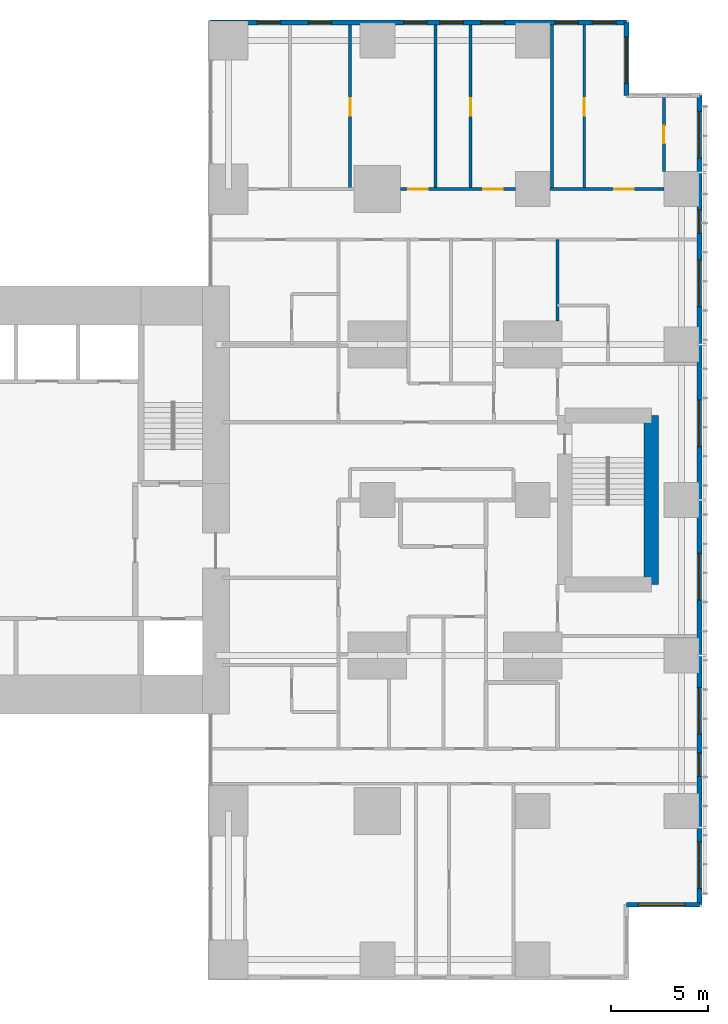
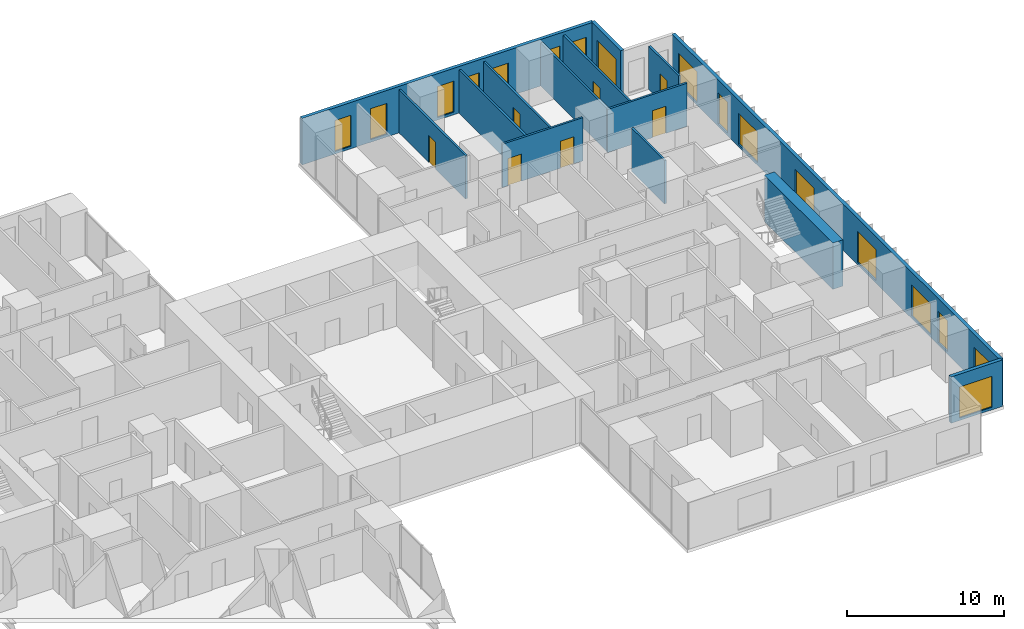
# One storey, part 18 of 20: 17 windows, 14 walls, 7 doors, 24 openings.
"""IFC4 building model written with IfcOpenShell, lengths in metres."""

from ifc_helpers import new_model, si_unit, direction, frame, frame_2d, origin, place, context, subcontext, project, spatial, rectangle, extrude, material, layer, layer_set, type_object, element, fill, save


model = new_model("IFC4")

# Units and contexts
model_context = context("Model", 3, precision=1e-05, world=origin(), true_north=direction((0.0, 1.0)))
body_context = subcontext(model_context, "Body", "Model", "MODEL_VIEW")
ifc_project = project(units=[si_unit("LENGTHUNIT", "METRE"), si_unit("AREAUNIT", "SQUARE_METRE"), si_unit("VOLUMEUNIT", "CUBIC_METRE"), si_unit("PLANEANGLEUNIT", "RADIAN"), si_unit("MASSUNIT", "GRAM", prefix="KILO")], contexts=[model_context])

# Site, building, storey
site_placement = place(None, origin())
site = spatial("IfcSite", under=ifc_project, at=site_placement, CompositionType="ELEMENT")
building_placement = place(site_placement, origin())
building = spatial("IfcBuilding", under=site, at=building_placement, Name="Cleftline Residences", CompositionType="ELEMENT")
storey_placement = place(building_placement, frame((0.0, 0.0, 185.800048828125)))
storey = spatial("IfcBuildingStorey", under=building, at=storey_placement, Name="L48", CompositionType="ELEMENT", Elevation=185.800048828125)

# Wall, opening, window
ifc_material_1 = material(Name="Rendered reinforced concrete blockwork", Category="masonry")
ifc_layer_1 = layer(ifc_material_1, 0.25)
ifc_layer_set_1 = layer_set([ifc_layer_1], Name="EXTERNAL WALL 250")
wall_type_1 = type_object("IfcWallType", Name="EXTERNAL WALL 250", PredefinedType="SOLIDWALL", material=ifc_layer_set_1)
wall_1_placement = place(storey_placement, frame((62.824951171875, 3.175048828125, 0.0), z_axis=(0.0, 0.0, 1.0), x_axis=(1.0, 0.0, 0.0)))
wall_1 = element("IfcWall", 1, at=wall_1_placement, inside=storey, type_object=wall_type_1, Name="External wall", PredefinedType="SOLIDWALL", context=body_context, shape_type="SweptSolid", body=[
    extrude(rectangle(XDim=3.75, YDim=0.25, at=frame_2d((1.875, 0.0))), origin(), (0.0, 0.0, 1.0), 3.599853515625),
])
opening_1_placement = place(wall_1_placement, frame((0.612548828125, 0.0, 0.199951171875)))
opening_1 = element("IfcOpeningElement", 2, at=opening_1_placement, cuts=wall_1, Name="Opening W9", PredefinedType="OPENING", context=body_context, shape_type="SweptSolid", body=[
    extrude(rectangle(XDim=2.39990234375, YDim=2.39990234375, at=frame_2d((1.199951171875, 1.199951171875))), frame((0.0, 0.135009765625, 0.0), z_axis=(0.0, -1.0, 0.0), x_axis=(1.0, 0.0, 0.0)), (0.0, 0.0, 1.0), 0.27001953125),
])
ifc_material_2 = material(Name="Aluminium frame, clear double glazing", Category="aluminium")
window_type_1 = type_object("IfcWindowType", Name="WINDOW 2400X2400", PartitioningType="DOUBLE_PANEL_VERTICAL", PredefinedType="WINDOW", material=ifc_material_2)
window_1_placement = place(opening_1_placement, origin())
window_1 = element("IfcWindow", 3, at=window_1_placement, inside=storey, type_object=window_type_1, Name="Window", OverallHeight=2.39990234375, OverallWidth=2.39990234375, PartitioningType="SINGLE_PANEL", PredefinedType="WINDOW", context=body_context, shape_type="SweptSolid", body=[
    extrude(rectangle(XDim=2.39990234375, YDim=2.39990234375, at=frame_2d((1.199951171875, 1.199951171875))), frame((0.0, 0.030029296875, 0.0), z_axis=(0.0, -1.0, 0.0), x_axis=(1.0, 0.0, 0.0)), (0.0, 0.0, 1.0), 0.06005859375),
])
fill(opening_1, window_1)

# Wall, openings, windows
wall_2_placement = place(storey_placement, frame((66.574951171875, 3.175048828125, 0.0), z_axis=(0.0, 0.0, 1.0), x_axis=(0.0, 1.0, 0.0)))
wall_2 = element("IfcWall", 4, at=wall_2_placement, inside=storey, type_object=wall_type_1, Name="External wall", PredefinedType="SOLIDWALL", context=body_context, shape_type="SweptSolid", body=[
    extrude(rectangle(XDim=41.64990234375, YDim=0.25, at=frame_2d((20.824951171875, 0.0))), origin(), (0.0, 0.0, 1.0), 3.599853515625),
])
opening_2_placement = place(wall_2_placement, frame((0.824951171875, 0.0, 0.199951171875)))
opening_2 = element("IfcOpeningElement", 5, at=opening_2_placement, cuts=wall_2, Name="Opening W9", PredefinedType="OPENING", context=body_context, shape_type="SweptSolid", body=[
    extrude(rectangle(XDim=2.39990234375, YDim=2.39990234375, at=frame_2d((1.199951171875, 1.199951171875))), frame((0.0, 0.135009765625, 0.0), z_axis=(0.0, -1.0, 0.0), x_axis=(1.0, 0.0, 0.0)), (0.0, 0.0, 1.0), 0.27001953125),
])
opening_3_placement = place(wall_2_placement, frame((6.60009765625, 0.0, 0.199951171875)))
opening_3 = element("IfcOpeningElement", 6, at=opening_3_placement, cuts=wall_2, Name="Opening W13", PredefinedType="OPENING", context=body_context, shape_type="SweptSolid", body=[
    extrude(rectangle(XDim=1.199951171875, YDim=2.39990234375, at=frame_2d((0.60009765625, 1.199951171875))), frame((0.0, 0.135009765625, 0.0), z_axis=(0.0, -1.0, 0.0), x_axis=(1.0, 0.0, 0.0)), (0.0, 0.0, 1.0), 0.27001953125),
])
opening_4_placement = place(wall_2_placement, frame((8.77490234375, 0.0, 0.199951171875)))
opening_4 = element("IfcOpeningElement", 7, at=opening_4_placement, cuts=wall_2, Name="Opening W9", PredefinedType="OPENING", context=body_context, shape_type="SweptSolid", body=[
    extrude(rectangle(XDim=2.39990234375, YDim=2.39990234375, at=frame_2d((1.199951171875, 1.199951171875))), frame((0.0, 0.135009765625, 0.0), z_axis=(0.0, -1.0, 0.0), x_axis=(1.0, 0.0, 0.0)), (0.0, 0.0, 1.0), 0.27001953125),
])
opening_5_placement = place(wall_2_placement, frame((15.675048828125, 0.0, 0.199951171875)))
opening_5 = element("IfcOpeningElement", 8, at=opening_5_placement, cuts=wall_2, Name="Opening W9", PredefinedType="OPENING", context=body_context, shape_type="SweptSolid", body=[
    extrude(rectangle(XDim=2.39990234375, YDim=2.39990234375, at=frame_2d((1.199951171875, 1.199951171875))), frame((0.0, 0.135009765625, 0.0), z_axis=(0.0, -1.0, 0.0), x_axis=(1.0, 0.0, 0.0)), (0.0, 0.0, 1.0), 0.27001953125),
])
opening_6_placement = place(wall_2_placement, frame((23.574951171875, 0.0, 0.199951171875)))
opening_6 = element("IfcOpeningElement", 9, at=opening_6_placement, cuts=wall_2, Name="Opening W9", PredefinedType="OPENING", context=body_context, shape_type="SweptSolid", body=[
    extrude(rectangle(XDim=2.39990234375, YDim=2.39990234375, at=frame_2d((1.199951171875, 1.199951171875))), frame((0.0, 0.135009765625, 0.0), z_axis=(0.0, -1.0, 0.0), x_axis=(1.0, 0.0, 0.0)), (0.0, 0.0, 1.0), 0.27001953125),
])
opening_7_placement = place(wall_2_placement, frame((30.77490234375, 0.0, 0.199951171875)))
opening_7 = element("IfcOpeningElement", 10, at=opening_7_placement, cuts=wall_2, Name="Opening W9", PredefinedType="OPENING", context=body_context, shape_type="SweptSolid", body=[
    extrude(rectangle(XDim=2.39990234375, YDim=2.39990234375, at=frame_2d((1.199951171875, 1.199951171875))), frame((0.0, 0.135009765625, 0.0), z_axis=(0.0, -1.0, 0.0), x_axis=(1.0, 0.0, 0.0)), (0.0, 0.0, 1.0), 0.27001953125),
])
opening_8_placement = place(wall_2_placement, frame((34.550048828125, 0.0, 0.199951171875)))
opening_8 = element("IfcOpeningElement", 11, at=opening_8_placement, cuts=wall_2, Name="Opening W13", PredefinedType="OPENING", context=body_context, shape_type="SweptSolid", body=[
    extrude(rectangle(XDim=1.199951171875, YDim=2.39990234375, at=frame_2d((0.60009765625, 1.199951171875))), frame((0.0, 0.135009765625, 0.0), z_axis=(0.0, -1.0, 0.0), x_axis=(1.0, 0.0, 0.0)), (0.0, 0.0, 1.0), 0.27001953125),
])
opening_9_placement = place(wall_2_placement, frame((38.425048828125, 0.0, 0.199951171875)))
opening_9 = element("IfcOpeningElement", 12, at=opening_9_placement, cuts=wall_2, Name="Opening W9", PredefinedType="OPENING", context=body_context, shape_type="SweptSolid", body=[
    extrude(rectangle(XDim=2.39990234375, YDim=2.39990234375, at=frame_2d((1.199951171875, 1.199951171875))), frame((0.0, 0.135009765625, 0.0), z_axis=(0.0, -1.0, 0.0), x_axis=(1.0, 0.0, 0.0)), (0.0, 0.0, 1.0), 0.27001953125),
])
ifc_material_3 = material(Name="Aluminium frame, clear double glazing", Category="aluminium")
window_type_2 = type_object("IfcWindowType", Name="WINDOW 1200X2400", PartitioningType="DOUBLE_PANEL_VERTICAL", PredefinedType="WINDOW", material=ifc_material_3)
window_2_placement = place(opening_3_placement, origin())
window_2 = element("IfcWindow", 13, at=window_2_placement, inside=storey, type_object=window_type_2, Name="Window", OverallHeight=2.39990234375, OverallWidth=1.199951171875, PartitioningType="SINGLE_PANEL", PredefinedType="WINDOW", context=body_context, shape_type="SweptSolid", body=[
    extrude(rectangle(XDim=1.199951171875, YDim=2.39990234375, at=frame_2d((0.60009765625, 1.199951171875))), frame((0.0, 0.030029296875, 0.0), z_axis=(0.0, -1.0, 0.0), x_axis=(1.0, 0.0, 0.0)), (0.0, 0.0, 1.0), 0.06005859375),
])
fill(opening_3, window_2)
window_3_placement = place(opening_8_placement, origin())
window_3 = element("IfcWindow", 14, at=window_3_placement, inside=storey, type_object=window_type_2, Name="Window", OverallHeight=2.39990234375, OverallWidth=1.199951171875, PartitioningType="SINGLE_PANEL", PredefinedType="WINDOW", context=body_context, shape_type="SweptSolid", body=[
    extrude(rectangle(XDim=1.199951171875, YDim=2.39990234375, at=frame_2d((0.60009765625, 1.199951171875))), frame((0.0, 0.030029296875, 0.0), z_axis=(0.0, -1.0, 0.0), x_axis=(1.0, 0.0, 0.0)), (0.0, 0.0, 1.0), 0.06005859375),
])
fill(opening_8, window_3)
window_4_placement = place(opening_2_placement, origin())
window_4 = element("IfcWindow", 15, at=window_4_placement, inside=storey, type_object=window_type_1, Name="Window", OverallHeight=2.39990234375, OverallWidth=2.39990234375, PartitioningType="SINGLE_PANEL", PredefinedType="WINDOW", context=body_context, shape_type="SweptSolid", body=[
    extrude(rectangle(XDim=2.39990234375, YDim=2.39990234375, at=frame_2d((1.199951171875, 1.199951171875))), frame((0.0, 0.030029296875, 0.0), z_axis=(0.0, -1.0, 0.0), x_axis=(1.0, 0.0, 0.0)), (0.0, 0.0, 1.0), 0.06005859375),
])
fill(opening_2, window_4)
window_5_placement = place(opening_4_placement, origin())
window_5 = element("IfcWindow", 16, at=window_5_placement, inside=storey, type_object=window_type_1, Name="Window", OverallHeight=2.39990234375, OverallWidth=2.39990234375, PartitioningType="SINGLE_PANEL", PredefinedType="WINDOW", context=body_context, shape_type="SweptSolid", body=[
    extrude(rectangle(XDim=2.39990234375, YDim=2.39990234375, at=frame_2d((1.199951171875, 1.199951171875))), frame((0.0, 0.030029296875, 0.0), z_axis=(0.0, -1.0, 0.0), x_axis=(1.0, 0.0, 0.0)), (0.0, 0.0, 1.0), 0.06005859375),
])
fill(opening_4, window_5)
window_6_placement = place(opening_5_placement, origin())
window_6 = element("IfcWindow", 17, at=window_6_placement, inside=storey, type_object=window_type_1, Name="Window", OverallHeight=2.39990234375, OverallWidth=2.39990234375, PartitioningType="SINGLE_PANEL", PredefinedType="WINDOW", context=body_context, shape_type="SweptSolid", body=[
    extrude(rectangle(XDim=2.39990234375, YDim=2.39990234375, at=frame_2d((1.199951171875, 1.199951171875))), frame((0.0, 0.030029296875, 0.0), z_axis=(0.0, -1.0, 0.0), x_axis=(1.0, 0.0, 0.0)), (0.0, 0.0, 1.0), 0.06005859375),
])
fill(opening_5, window_6)
window_7_placement = place(opening_6_placement, origin())
window_7 = element("IfcWindow", 18, at=window_7_placement, inside=storey, type_object=window_type_1, Name="Window", OverallHeight=2.39990234375, OverallWidth=2.39990234375, PartitioningType="SINGLE_PANEL", PredefinedType="WINDOW", context=body_context, shape_type="SweptSolid", body=[
    extrude(rectangle(XDim=2.39990234375, YDim=2.39990234375, at=frame_2d((1.199951171875, 1.199951171875))), frame((0.0, 0.030029296875, 0.0), z_axis=(0.0, -1.0, 0.0), x_axis=(1.0, 0.0, 0.0)), (0.0, 0.0, 1.0), 0.06005859375),
])
fill(opening_6, window_7)
window_8_placement = place(opening_7_placement, origin())
window_8 = element("IfcWindow", 19, at=window_8_placement, inside=storey, type_object=window_type_1, Name="Window", OverallHeight=2.39990234375, OverallWidth=2.39990234375, PartitioningType="SINGLE_PANEL", PredefinedType="WINDOW", context=body_context, shape_type="SweptSolid", body=[
    extrude(rectangle(XDim=2.39990234375, YDim=2.39990234375, at=frame_2d((1.199951171875, 1.199951171875))), frame((0.0, 0.030029296875, 0.0), z_axis=(0.0, -1.0, 0.0), x_axis=(1.0, 0.0, 0.0)), (0.0, 0.0, 1.0), 0.06005859375),
])
fill(opening_7, window_8)
window_9_placement = place(opening_9_placement, origin())
window_9 = element("IfcWindow", 20, at=window_9_placement, inside=storey, type_object=window_type_1, Name="Window", OverallHeight=2.39990234375, OverallWidth=2.39990234375, PartitioningType="SINGLE_PANEL", PredefinedType="WINDOW", context=body_context, shape_type="SweptSolid", body=[
    extrude(rectangle(XDim=2.39990234375, YDim=2.39990234375, at=frame_2d((1.199951171875, 1.199951171875))), frame((0.0, 0.030029296875, 0.0), z_axis=(0.0, -1.0, 0.0), x_axis=(1.0, 0.0, 0.0)), (0.0, 0.0, 1.0), 0.06005859375),
])
fill(opening_9, window_9)

# Wall, opening, window
wall_3_placement = place(storey_placement, frame((62.824951171875, 44.824951171875, 0.0), z_axis=(0.0, 0.0, 1.0), x_axis=(0.0, 1.0, 0.0)))
wall_3 = element("IfcWall", 21, at=wall_3_placement, inside=storey, type_object=wall_type_1, Name="External wall", PredefinedType="SOLIDWALL", context=body_context, shape_type="SweptSolid", body=[
    extrude(rectangle(XDim=3.75, YDim=0.25, at=frame_2d((1.875, 0.0))), origin(), (0.0, 0.0, 1.0), 3.599853515625),
])
opening_10_placement = place(wall_3_placement, frame((0.612548828125, 0.0, 0.199951171875)))
opening_10 = element("IfcOpeningElement", 22, at=opening_10_placement, cuts=wall_3, Name="Opening W9", PredefinedType="OPENING", context=body_context, shape_type="SweptSolid", body=[
    extrude(rectangle(XDim=2.39990234375, YDim=2.39990234375, at=frame_2d((1.199951171875, 1.199951171875))), frame((0.0, 0.135009765625, 0.0), z_axis=(0.0, -1.0, 0.0), x_axis=(1.0, 0.0, 0.0)), (0.0, 0.0, 1.0), 0.27001953125),
])
window_10_placement = place(opening_10_placement, origin())
window_10 = element("IfcWindow", 23, at=window_10_placement, inside=storey, type_object=window_type_1, Name="Window", OverallHeight=2.39990234375, OverallWidth=2.39990234375, PartitioningType="SINGLE_PANEL", PredefinedType="WINDOW", context=body_context, shape_type="SweptSolid", body=[
    extrude(rectangle(XDim=2.39990234375, YDim=2.39990234375, at=frame_2d((1.199951171875, 1.199951171875))), frame((0.0, 0.030029296875, 0.0), z_axis=(0.0, -1.0, 0.0), x_axis=(1.0, 0.0, 0.0)), (0.0, 0.0, 1.0), 0.06005859375),
])
fill(opening_10, window_10)

# Wall, openings, windows
wall_4_placement = place(storey_placement, frame((62.824951171875, 48.574951171875, 0.0), z_axis=(0.0, 0.0, 1.0), x_axis=(-1.0, 0.0, 0.0)))
wall_4 = element("IfcWall", 24, at=wall_4_placement, inside=storey, type_object=wall_type_1, Name="External wall", PredefinedType="SOLIDWALL", context=body_context, shape_type="SweptSolid", body=[
    extrude(rectangle(XDim=21.39990234375, YDim=0.25, at=frame_2d((10.699951171875, 0.0))), origin(), (0.0, 0.0, 1.0), 3.599853515625),
])
opening_11_placement = place(wall_4_placement, frame((0.550048828125, 0.0, 0.199951171875)))
opening_11 = element("IfcOpeningElement", 25, at=opening_11_placement, cuts=wall_4, Name="Opening W13", PredefinedType="OPENING", context=body_context, shape_type="SweptSolid", body=[
    extrude(rectangle(XDim=1.199951171875, YDim=2.39990234375, at=frame_2d((0.60009765625, 1.199951171875))), frame((0.0, 0.135009765625, 0.0), z_axis=(0.0, -1.0, 0.0), x_axis=(1.0, 0.0, 0.0)), (0.0, 0.0, 1.0), 0.27001953125),
])
opening_12_placement = place(wall_4_placement, frame((2.47509765625, 0.0, 0.199951171875)))
opening_12 = element("IfcOpeningElement", 26, at=opening_12_placement, cuts=wall_4, Name="Opening W13", PredefinedType="OPENING", context=body_context, shape_type="SweptSolid", body=[
    extrude(rectangle(XDim=1.199951171875, YDim=2.39990234375, at=frame_2d((0.60009765625, 1.199951171875))), frame((0.0, 0.135009765625, 0.0), z_axis=(0.0, -1.0, 0.0), x_axis=(1.0, 0.0, 0.0)), (0.0, 0.0, 1.0), 0.27001953125),
])
opening_13_placement = place(wall_4_placement, frame((6.27490234375, 0.0, 0.199951171875)))
opening_13 = element("IfcOpeningElement", 27, at=opening_13_placement, cuts=wall_4, Name="Opening W13", PredefinedType="OPENING", context=body_context, shape_type="SweptSolid", body=[
    extrude(rectangle(XDim=1.199951171875, YDim=2.39990234375, at=frame_2d((0.60009765625, 1.199951171875))), frame((0.0, 0.135009765625, 0.0), z_axis=(0.0, -1.0, 0.0), x_axis=(1.0, 0.0, 0.0)), (0.0, 0.0, 1.0), 0.27001953125),
])
opening_14_placement = place(wall_4_placement, frame((8.39990234375, 0.0, 0.199951171875)))
opening_14 = element("IfcOpeningElement", 28, at=opening_14_placement, cuts=wall_4, Name="Opening W13", PredefinedType="OPENING", context=body_context, shape_type="SweptSolid", body=[
    extrude(rectangle(XDim=1.199951171875, YDim=2.39990234375, at=frame_2d((0.60009765625, 1.199951171875))), frame((0.0, 0.135009765625, 0.0), z_axis=(0.0, -1.0, 0.0), x_axis=(1.0, 0.0, 0.0)), (0.0, 0.0, 1.0), 0.27001953125),
])
opening_15_placement = place(wall_4_placement, frame((10.27490234375, 0.0, 0.199951171875)))
opening_15 = element("IfcOpeningElement", 29, at=opening_15_placement, cuts=wall_4, Name="Opening W13", PredefinedType="OPENING", context=body_context, shape_type="SweptSolid", body=[
    extrude(rectangle(XDim=1.199951171875, YDim=2.39990234375, at=frame_2d((0.60009765625, 1.199951171875))), frame((0.0, 0.135009765625, 0.0), z_axis=(0.0, -1.0, 0.0), x_axis=(1.0, 0.0, 0.0)), (0.0, 0.0, 1.0), 0.27001953125),
])
opening_16_placement = place(wall_4_placement, frame((15.175048828125, 0.0, 0.199951171875)))
opening_16 = element("IfcOpeningElement", 30, at=opening_16_placement, cuts=wall_4, Name="Opening W13", PredefinedType="OPENING", context=body_context, shape_type="SweptSolid", body=[
    extrude(rectangle(XDim=1.199951171875, YDim=2.39990234375, at=frame_2d((0.60009765625, 1.199951171875))), frame((0.0, 0.135009765625, 0.0), z_axis=(0.0, -1.0, 0.0), x_axis=(1.0, 0.0, 0.0)), (0.0, 0.0, 1.0), 0.27001953125),
])
opening_17_placement = place(wall_4_placement, frame((17.800048828125, 0.0, 0.199951171875)))
opening_17 = element("IfcOpeningElement", 31, at=opening_17_placement, cuts=wall_4, Name="Opening W13", PredefinedType="OPENING", context=body_context, shape_type="SweptSolid", body=[
    extrude(rectangle(XDim=1.199951171875, YDim=2.39990234375, at=frame_2d((0.60009765625, 1.199951171875))), frame((0.0, 0.135009765625, 0.0), z_axis=(0.0, -1.0, 0.0), x_axis=(1.0, 0.0, 0.0)), (0.0, 0.0, 1.0), 0.27001953125),
])
window_11_placement = place(opening_11_placement, origin())
window_11 = element("IfcWindow", 32, at=window_11_placement, inside=storey, type_object=window_type_2, Name="Window", OverallHeight=2.39990234375, OverallWidth=1.199951171875, PartitioningType="SINGLE_PANEL", PredefinedType="WINDOW", context=body_context, shape_type="SweptSolid", body=[
    extrude(rectangle(XDim=1.199951171875, YDim=2.39990234375, at=frame_2d((0.60009765625, 1.199951171875))), frame((0.0, 0.030029296875, 0.0), z_axis=(0.0, -1.0, 0.0), x_axis=(1.0, 0.0, 0.0)), (0.0, 0.0, 1.0), 0.06005859375),
])
fill(opening_11, window_11)
window_12_placement = place(opening_12_placement, origin())
window_12 = element("IfcWindow", 33, at=window_12_placement, inside=storey, type_object=window_type_2, Name="Window", OverallHeight=2.39990234375, OverallWidth=1.199951171875, PartitioningType="SINGLE_PANEL", PredefinedType="WINDOW", context=body_context, shape_type="SweptSolid", body=[
    extrude(rectangle(XDim=1.199951171875, YDim=2.39990234375, at=frame_2d((0.60009765625, 1.199951171875))), frame((0.0, 0.030029296875, 0.0), z_axis=(0.0, -1.0, 0.0), x_axis=(1.0, 0.0, 0.0)), (0.0, 0.0, 1.0), 0.06005859375),
])
fill(opening_12, window_12)
window_13_placement = place(opening_13_placement, origin())
window_13 = element("IfcWindow", 34, at=window_13_placement, inside=storey, type_object=window_type_2, Name="Window", OverallHeight=2.39990234375, OverallWidth=1.199951171875, PartitioningType="SINGLE_PANEL", PredefinedType="WINDOW", context=body_context, shape_type="SweptSolid", body=[
    extrude(rectangle(XDim=1.199951171875, YDim=2.39990234375, at=frame_2d((0.60009765625, 1.199951171875))), frame((0.0, 0.030029296875, 0.0), z_axis=(0.0, -1.0, 0.0), x_axis=(1.0, 0.0, 0.0)), (0.0, 0.0, 1.0), 0.06005859375),
])
fill(opening_13, window_13)
window_14_placement = place(opening_14_placement, origin())
window_14 = element("IfcWindow", 35, at=window_14_placement, inside=storey, type_object=window_type_2, Name="Window", OverallHeight=2.39990234375, OverallWidth=1.199951171875, PartitioningType="SINGLE_PANEL", PredefinedType="WINDOW", context=body_context, shape_type="SweptSolid", body=[
    extrude(rectangle(XDim=1.199951171875, YDim=2.39990234375, at=frame_2d((0.60009765625, 1.199951171875))), frame((0.0, 0.030029296875, 0.0), z_axis=(0.0, -1.0, 0.0), x_axis=(1.0, 0.0, 0.0)), (0.0, 0.0, 1.0), 0.06005859375),
])
fill(opening_14, window_14)
window_15_placement = place(opening_15_placement, origin())
window_15 = element("IfcWindow", 36, at=window_15_placement, inside=storey, type_object=window_type_2, Name="Window", OverallHeight=2.39990234375, OverallWidth=1.199951171875, PartitioningType="SINGLE_PANEL", PredefinedType="WINDOW", context=body_context, shape_type="SweptSolid", body=[
    extrude(rectangle(XDim=1.199951171875, YDim=2.39990234375, at=frame_2d((0.60009765625, 1.199951171875))), frame((0.0, 0.030029296875, 0.0), z_axis=(0.0, -1.0, 0.0), x_axis=(1.0, 0.0, 0.0)), (0.0, 0.0, 1.0), 0.06005859375),
])
fill(opening_15, window_15)
window_16_placement = place(opening_16_placement, origin())
window_16 = element("IfcWindow", 37, at=window_16_placement, inside=storey, type_object=window_type_2, Name="Window", OverallHeight=2.39990234375, OverallWidth=1.199951171875, PartitioningType="SINGLE_PANEL", PredefinedType="WINDOW", context=body_context, shape_type="SweptSolid", body=[
    extrude(rectangle(XDim=1.199951171875, YDim=2.39990234375, at=frame_2d((0.60009765625, 1.199951171875))), frame((0.0, 0.030029296875, 0.0), z_axis=(0.0, -1.0, 0.0), x_axis=(1.0, 0.0, 0.0)), (0.0, 0.0, 1.0), 0.06005859375),
])
fill(opening_16, window_16)
window_17_placement = place(opening_17_placement, origin())
window_17 = element("IfcWindow", 38, at=window_17_placement, inside=storey, type_object=window_type_2, Name="Window", OverallHeight=2.39990234375, OverallWidth=1.199951171875, PartitioningType="SINGLE_PANEL", PredefinedType="WINDOW", context=body_context, shape_type="SweptSolid", body=[
    extrude(rectangle(XDim=1.199951171875, YDim=2.39990234375, at=frame_2d((0.60009765625, 1.199951171875))), frame((0.0, 0.030029296875, 0.0), z_axis=(0.0, -1.0, 0.0), x_axis=(1.0, 0.0, 0.0)), (0.0, 0.0, 1.0), 0.06005859375),
])
fill(opening_17, window_17)

# Wall, openings, doors
ifc_material_4 = material(Name="Gypsum board on steel studs", Category="steel")
ifc_layer_2 = layer(ifc_material_4, 0.14990234375)
ifc_layer_set_2 = layer_set([ifc_layer_2], Name="PARTITION 150")
wall_type_2 = type_object("IfcWallType", Name="PARTITION 150", PredefinedType="PARTITIONING", material=ifc_layer_set_2)
wall_5_placement = place(storey_placement, frame((51.199951171875, 40.0, 0.0), z_axis=(0.0, 0.0, 1.0), x_axis=(1.0, 0.0, 0.0)))
wall_5 = element("IfcWall", 39, at=wall_5_placement, inside=storey, type_object=wall_type_2, Name="Partition", PredefinedType="PARTITIONING", context=body_context, shape_type="SweptSolid", body=[
    extrude(rectangle(XDim=5.900146484375, YDim=0.14990234375, at=frame_2d((2.9501953125, 0.0))), origin(), (0.0, 0.0, 1.0), 3.349853515625),
])
opening_18_placement = place(wall_5_placement, frame((4.25, 0.0, 0.0)))
opening_18 = element("IfcOpeningElement", 40, at=opening_18_placement, cuts=wall_5, Name="Opening D2", PredefinedType="OPENING", context=body_context, shape_type="SweptSolid", body=[
    extrude(rectangle(XDim=1.0, YDim=2.10009765625, at=frame_2d((0.5, 1.050048828125))), frame((0.0, 0.0849609375, 0.0), z_axis=(0.0, -1.0, 0.0), x_axis=(1.0, 0.0, 0.0)), (0.0, 0.0, 1.0), 0.169921875),
])
opening_19_placement = place(wall_5_placement, frame((0.39990234375, 0.0, 0.0)))
opening_19 = element("IfcOpeningElement", 41, at=opening_19_placement, cuts=wall_5, Name="Opening D2", PredefinedType="OPENING", context=body_context, shape_type="SweptSolid", body=[
    extrude(rectangle(XDim=1.0, YDim=2.10009765625, at=frame_2d((0.5, 1.050048828125))), frame((0.0, 0.0849609375, 0.0), z_axis=(0.0, -1.0, 0.0), x_axis=(1.0, 0.0, 0.0)), (0.0, 0.0, 1.0), 0.169921875),
])
ifc_material_5 = material(Name="Timber veneer on solid core", Category="wood")
door_type_1 = type_object("IfcDoorType", Name="DOOR 1000X2100", OperationType="SINGLE_SWING_LEFT", PredefinedType="DOOR", material=ifc_material_5)
door_1_placement = place(opening_18_placement, origin())
door_1 = element("IfcDoor", 42, at=door_1_placement, inside=storey, type_object=door_type_1, Name="Door to bedroom 3", OperationType="SINGLE_SWING_LEFT", OverallHeight=2.10009765625, OverallWidth=1.0, PredefinedType="DOOR", context=body_context, shape_type="SweptSolid", body=[
    extrude(rectangle(XDim=1.0, YDim=2.10009765625, at=frame_2d((0.5, 1.050048828125))), frame((0.0, 0.02490234375, 0.0), z_axis=(0.0, -1.0, 0.0), x_axis=(1.0, 0.0, 0.0)), (0.0, 0.0, 1.0), 0.050048828125),
])
fill(opening_18, door_1)
door_2_placement = place(opening_19_placement, origin())
door_2 = element("IfcDoor", 43, at=door_2_placement, inside=storey, type_object=door_type_1, Name="Door to bedroom 4", OperationType="SINGLE_SWING_RIGHT", OverallHeight=2.10009765625, OverallWidth=1.0, PredefinedType="DOOR", context=body_context, shape_type="SweptSolid", body=[
    extrude(rectangle(XDim=1.0, YDim=2.10009765625, at=frame_2d((0.5, 1.050048828125))), frame((0.0, 0.02490234375, 0.0), z_axis=(0.0, -1.0, 0.0), x_axis=(1.0, 0.0, 0.0)), (0.0, 0.0, 1.0), 0.050048828125),
])
fill(opening_19, door_2)

# Wall, opening, door
wall_6_placement = place(storey_placement, frame((58.89990234375, 40.0, 0.0), z_axis=(0.0, 0.0, 1.0), x_axis=(1.0, 0.0, 0.0)))
wall_6 = element("IfcWall", 44, at=wall_6_placement, inside=storey, type_object=wall_type_2, Name="Partition", PredefinedType="PARTITIONING", context=body_context, shape_type="SweptSolid", body=[
    extrude(rectangle(XDim=5.85009765625, YDim=0.14990234375, at=frame_2d((2.925048828125, 0.0))), origin(), (0.0, 0.0, 1.0), 3.349853515625),
])
opening_20_placement = place(wall_6_placement, frame((3.300048828125, 0.0, 0.0)))
opening_20 = element("IfcOpeningElement", 45, at=opening_20_placement, cuts=wall_6, Name="Opening D2", PredefinedType="OPENING", context=body_context, shape_type="SweptSolid", body=[
    extrude(rectangle(XDim=1.0, YDim=2.10009765625, at=frame_2d((0.5, 1.050048828125))), frame((0.0, 0.0849609375, 0.0), z_axis=(0.0, -1.0, 0.0), x_axis=(1.0, 0.0, 0.0)), (0.0, 0.0, 1.0), 0.169921875),
])
door_3_placement = place(opening_20_placement, origin())
door_3 = element("IfcDoor", 46, at=door_3_placement, inside=storey, type_object=door_type_1, Name="Door to bedroom 2", OperationType="SINGLE_SWING_LEFT", OverallHeight=2.10009765625, OverallWidth=1.0, PredefinedType="DOOR", context=body_context, shape_type="SweptSolid", body=[
    extrude(rectangle(XDim=1.0, YDim=2.10009765625, at=frame_2d((0.5, 1.050048828125))), frame((0.0, 0.02490234375, 0.0), z_axis=(0.0, -1.0, 0.0), x_axis=(1.0, 0.0, 0.0)), (0.0, 0.0, 1.0), 0.050048828125),
])
fill(opening_20, door_3)

wall_7_placement = place(storey_placement, frame((48.60009765625, 40.0, 0.0), z_axis=(0.0, 0.0, 1.0), x_axis=(0.0, 1.0, 0.0)))
wall_7 = element("IfcWall", 47, at=wall_7_placement, inside=storey, type_object=wall_type_2, Name="Partition", PredefinedType="PARTITIONING", context=body_context, shape_type="SweptSolid", body=[
    extrude(rectangle(XDim=8.449951171875, YDim=0.14990234375, at=frame_2d((4.22509765625, 0.0))), origin(), (0.0, 0.0, 1.0), 3.349853515625),
])
opening_21_placement = place(wall_7_placement, frame((3.77490234375, 0.0, 0.0)))
opening_21 = element("IfcOpeningElement", 48, at=opening_21_placement, cuts=wall_7, Name="Opening D1", PredefinedType="OPENING", context=body_context, shape_type="SweptSolid", body=[
    extrude(rectangle(XDim=0.89990234375, YDim=2.10009765625, at=frame_2d((0.449951171875, 1.050048828125))), frame((0.0, 0.0849609375, 0.0), z_axis=(0.0, -1.0, 0.0), x_axis=(1.0, 0.0, 0.0)), (0.0, 0.0, 1.0), 0.169921875),
])
ifc_material_6 = material(Name="Timber veneer on solid core", Category="wood")
door_type_2 = type_object("IfcDoorType", Name="DOOR 900X2100", OperationType="SINGLE_SWING_LEFT", PredefinedType="DOOR", material=ifc_material_6)
door_4_placement = place(opening_21_placement, origin())
door_4 = element("IfcDoor", 49, at=door_4_placement, inside=storey, type_object=door_type_2, Name="Door to en-suite bathroom 4", OperationType="SINGLE_SWING_LEFT", OverallHeight=2.10009765625, OverallWidth=0.89990234375, PredefinedType="DOOR", context=body_context, shape_type="SweptSolid", body=[
    extrude(rectangle(XDim=0.89990234375, YDim=2.10009765625, at=frame_2d((0.449951171875, 1.050048828125))), frame((0.0, 0.02490234375, 0.0), z_axis=(0.0, -1.0, 0.0), x_axis=(1.0, 0.0, 0.0)), (0.0, 0.0, 1.0), 0.050048828125),
])
fill(opening_21, door_4)

# Wall
wall_8_placement = place(storey_placement, frame((53.0, 40.0, 0.0), z_axis=(0.0, 0.0, 1.0), x_axis=(0.0, 1.0, 0.0)))
element("IfcWall", 50, at=wall_8_placement, inside=storey, type_object=wall_type_2, Name="Partition", PredefinedType="PARTITIONING", context=body_context, shape_type="SweptSolid", body=[
    extrude(rectangle(XDim=8.449951171875, YDim=0.14990234375, at=frame_2d((4.22509765625, 0.0))), origin(), (0.0, 0.0, 1.0), 3.349853515625),
])

# Wall, opening, door
wall_9_placement = place(storey_placement, frame((54.800048828125, 40.0, 0.0), z_axis=(0.0, 0.0, 1.0), x_axis=(0.0, 1.0, 0.0)))
wall_9 = element("IfcWall", 51, at=wall_9_placement, inside=storey, type_object=wall_type_2, Name="Partition", PredefinedType="PARTITIONING", context=body_context, shape_type="SweptSolid", body=[
    extrude(rectangle(XDim=8.449951171875, YDim=0.14990234375, at=frame_2d((4.22509765625, 0.0))), origin(), (0.0, 0.0, 1.0), 3.349853515625),
])
opening_22_placement = place(wall_9_placement, frame((3.77490234375, 0.0, 0.0)))
opening_22 = element("IfcOpeningElement", 52, at=opening_22_placement, cuts=wall_9, Name="Opening D1", PredefinedType="OPENING", context=body_context, shape_type="SweptSolid", body=[
    extrude(rectangle(XDim=0.89990234375, YDim=2.10009765625, at=frame_2d((0.449951171875, 1.050048828125))), frame((0.0, 0.0849609375, 0.0), z_axis=(0.0, -1.0, 0.0), x_axis=(1.0, 0.0, 0.0)), (0.0, 0.0, 1.0), 0.169921875),
])
door_5_placement = place(opening_22_placement, origin())
door_5 = element("IfcDoor", 53, at=door_5_placement, inside=storey, type_object=door_type_2, Name="Door to en-suite bathroom 3", OperationType="SINGLE_SWING_LEFT", OverallHeight=2.10009765625, OverallWidth=0.89990234375, PredefinedType="DOOR", context=body_context, shape_type="SweptSolid", body=[
    extrude(rectangle(XDim=0.89990234375, YDim=2.10009765625, at=frame_2d((0.449951171875, 1.050048828125))), frame((0.0, 0.02490234375, 0.0), z_axis=(0.0, -1.0, 0.0), x_axis=(1.0, 0.0, 0.0)), (0.0, 0.0, 1.0), 0.050048828125),
])
fill(opening_22, door_5)

# Walls
wall_10_placement = place(storey_placement, frame((59.0, 40.0, 0.0), z_axis=(0.0, 0.0, 1.0), x_axis=(0.0, 1.0, 0.0)))
element("IfcWall", 54, at=wall_10_placement, inside=storey, type_object=wall_type_2, Name="Partition", PredefinedType="PARTITIONING", context=body_context, shape_type="SweptSolid", body=[
    extrude(rectangle(XDim=8.449951171875, YDim=0.14990234375, at=frame_2d((4.22509765625, 0.0))), origin(), (0.0, 0.0, 1.0), 3.349853515625),
])
wall_11_placement = place(storey_placement, frame((59.27490234375, 33.199951171875, 0.0), z_axis=(0.0, 0.0, 1.0), x_axis=(0.0, 1.0, 0.0)))
element("IfcWall", 55, at=wall_11_placement, inside=storey, type_object=wall_type_2, Name="Partition", PredefinedType="PARTITIONING", context=body_context, shape_type="SweptSolid", body=[
    extrude(rectangle(XDim=4.199951171875, YDim=0.14990234375, at=frame_2d((2.10009765625, 0.0))), origin(), (0.0, 0.0, 1.0), 3.349853515625),
])

# Wall, opening, door
wall_12_placement = place(storey_placement, frame((60.64990234375, 40.0, 0.0), z_axis=(0.0, 0.0, 1.0), x_axis=(0.0, 1.0, 0.0)))
wall_12 = element("IfcWall", 56, at=wall_12_placement, inside=storey, type_object=wall_type_2, Name="Partition", PredefinedType="PARTITIONING", context=body_context, shape_type="SweptSolid", body=[
    extrude(rectangle(XDim=8.449951171875, YDim=0.14990234375, at=frame_2d((4.22509765625, 0.0))), origin(), (0.0, 0.0, 1.0), 3.349853515625),
])
opening_23_placement = place(wall_12_placement, frame((3.77490234375, 0.0, 0.0)))
opening_23 = element("IfcOpeningElement", 57, at=opening_23_placement, cuts=wall_12, Name="Opening D1", PredefinedType="OPENING", context=body_context, shape_type="SweptSolid", body=[
    extrude(rectangle(XDim=0.89990234375, YDim=2.10009765625, at=frame_2d((0.449951171875, 1.050048828125))), frame((0.0, 0.0849609375, 0.0), z_axis=(0.0, -1.0, 0.0), x_axis=(1.0, 0.0, 0.0)), (0.0, 0.0, 1.0), 0.169921875),
])
door_6_placement = place(opening_23_placement, origin())
door_6 = element("IfcDoor", 58, at=door_6_placement, inside=storey, type_object=door_type_2, Name="Door to walk-in wardrobe", OperationType="SINGLE_SWING_LEFT", OverallHeight=2.10009765625, OverallWidth=0.89990234375, PredefinedType="DOOR", context=body_context, shape_type="SweptSolid", body=[
    extrude(rectangle(XDim=0.89990234375, YDim=2.10009765625, at=frame_2d((0.449951171875, 1.050048828125))), frame((0.0, 0.02490234375, 0.0), z_axis=(0.0, -1.0, 0.0), x_axis=(1.0, 0.0, 0.0)), (0.0, 0.0, 1.0), 0.050048828125),
])
fill(opening_23, door_6)

wall_13_placement = place(storey_placement, frame((64.75, 40.89990234375, 0.0), z_axis=(0.0, 0.0, 1.0), x_axis=(0.0, 1.0, 0.0)))
wall_13 = element("IfcWall", 59, at=wall_13_placement, inside=storey, type_object=wall_type_2, Name="Partition", PredefinedType="PARTITIONING", context=body_context, shape_type="SweptSolid", body=[
    extrude(rectangle(XDim=3.800048828125, YDim=0.14990234375, at=frame_2d((1.89990234375, 0.0))), origin(), (0.0, 0.0, 1.0), 3.349853515625),
])
opening_24_placement = place(wall_13_placement, frame((1.449951171875, 0.0, 0.0)))
opening_24 = element("IfcOpeningElement", 60, at=opening_24_placement, cuts=wall_13, Name="Opening D1", PredefinedType="OPENING", context=body_context, shape_type="SweptSolid", body=[
    extrude(rectangle(XDim=0.89990234375, YDim=2.10009765625, at=frame_2d((0.449951171875, 1.050048828125))), frame((0.0, 0.0849609375, 0.0), z_axis=(0.0, -1.0, 0.0), x_axis=(1.0, 0.0, 0.0)), (0.0, 0.0, 1.0), 0.169921875),
])
door_7_placement = place(opening_24_placement, origin())
door_7 = element("IfcDoor", 61, at=door_7_placement, inside=storey, type_object=door_type_2, Name="Door to music room", OperationType="SINGLE_SWING_LEFT", OverallHeight=2.10009765625, OverallWidth=0.89990234375, PredefinedType="DOOR", context=body_context, shape_type="SweptSolid", body=[
    extrude(rectangle(XDim=0.89990234375, YDim=2.10009765625, at=frame_2d((0.449951171875, 1.050048828125))), frame((0.0, 0.02490234375, 0.0), z_axis=(0.0, -1.0, 0.0), x_axis=(1.0, 0.0, 0.0)), (0.0, 0.0, 1.0), 0.050048828125),
])
fill(opening_24, door_7)

# Wall
ifc_material_7 = material(Name="Concrete B70", Category="concrete")
ifc_layer_3 = layer(ifc_material_7, 0.75)
ifc_layer_set_3 = layer_set([ifc_layer_3], Name="SHEAR WALL 750")
wall_type_3 = type_object("IfcWallType", Name="SHEAR WALL 750", PredefinedType="SHEAR", material=ifc_layer_set_3)
wall_14_placement = place(storey_placement, frame((64.10009765625, 19.64990234375, 0.0), z_axis=(0.0, 0.0, 1.0), x_axis=(0.0, 1.0, 0.0)))
element("IfcWall", 62, at=wall_14_placement, inside=storey, type_object=wall_type_3, Name="Wing shear wall", PredefinedType="SHEAR", context=body_context, shape_type="SweptSolid", body=[
    extrude(rectangle(XDim=8.7001953125, YDim=0.75, at=frame_2d((4.35009765625, 0.0))), origin(), (0.0, 0.0, 1.0), 3.599853515625),
])

save(model, "model.ifc")
